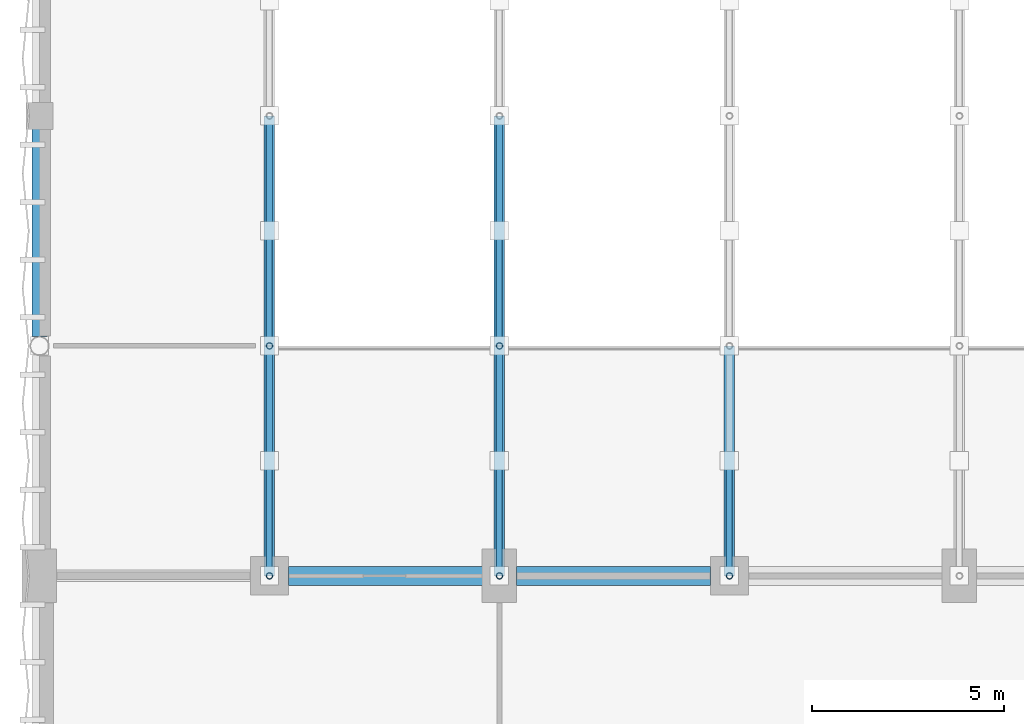
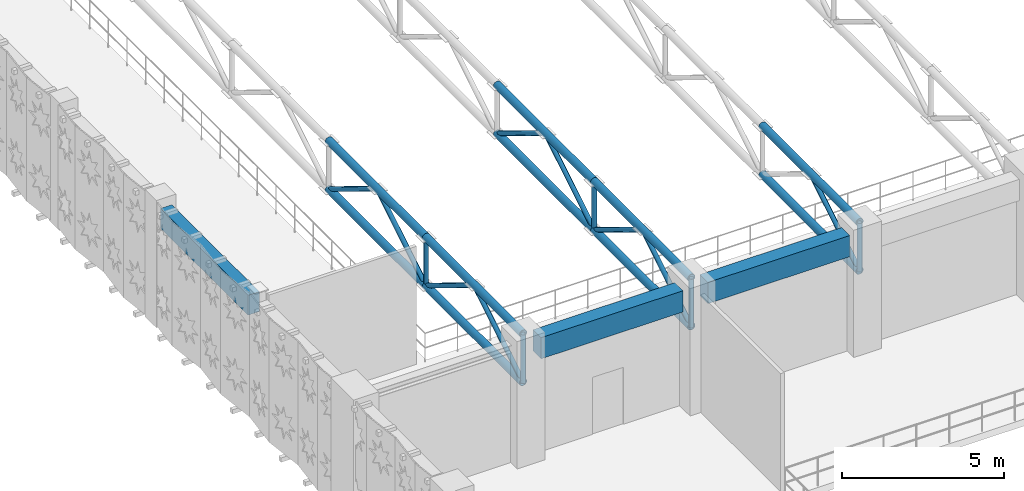
# One storey, part 36 of 123: 24 members, 3 beams.
"""IFC4 building model written with IfcOpenShell, lengths in metres."""

from ifc_helpers import new_model, si_unit, direction, frame, origin, origin_2d, place, context, subcontext, project, spatial, rectangle, hollow_circle, extrude, material, material_profile, profile_set, type_object, element, save


model = new_model("IFC4")

# Units and contexts
model_context = context("Model", 3, precision=1e-05, world=origin(), true_north=direction((0.0, 1.0)))
body_context = subcontext(model_context, "Body", "Model", "MODEL_VIEW")
ifc_project = project(units=[si_unit("LENGTHUNIT", "METRE"), si_unit("AREAUNIT", "SQUARE_METRE"), si_unit("VOLUMEUNIT", "CUBIC_METRE"), si_unit("PLANEANGLEUNIT", "RADIAN"), si_unit("MASSUNIT", "GRAM", prefix="KILO"), si_unit("THERMODYNAMICTEMPERATUREUNIT", "KELVIN"), si_unit("POWERUNIT", "WATT")], contexts=[model_context])

# Site, building, storey
site_placement = place(None, origin())
site = spatial("IfcSite", under=ifc_project, at=site_placement, CompositionType="ELEMENT")
building_placement = place(site_placement, origin())
building = spatial("IfcBuilding", under=site, at=building_placement, Name="Phaisarnlok Congress Hotel", CompositionType="ELEMENT")
storey_placement = place(building_placement, frame((0.0, 0.0, 15.0)))
storey = spatial("IfcBuildingStorey", under=building, at=storey_placement, Name="L03", CompositionType="ELEMENT", Elevation=15.0)

# Beams
ifc_material_1 = material(Name="Concrete C40/50", Category="concrete")
ifc_material_profile_1 = material_profile(ifc_material_1, rectangle(XDim=0.5, YDim=0.800048828125, at=origin_2d()), Name="RC 500x800")
ifc_profile_set_1 = profile_set([ifc_material_profile_1], Name="Concrete C40/50")
beam_type_1 = type_object("IfcBeamType", Name="BM-RC-500x800", PredefinedType="BEAM", material=ifc_profile_set_1)
for number, where, z_axis, x_axis, name in (
    (1, (6.4951171875, 84.0, 4.050048828125), (1.0, 0.0, 0.0), (0.0, 1.0, 0.0), "Beam B-04"),
    (2, (12.445068359375, 84.0, 4.050048828125), (1.0, 0.0, 0.0), (0.0, 1.0, 0.0), "Beam B-04"),
):
    element("IfcBeam", number, at=place(storey_placement, frame(where, z_axis=z_axis, x_axis=x_axis)), inside=storey, type_object=beam_type_1, Name=name, PredefinedType="BEAM", context=body_context, shape_type="SweptSolid", body=[
        extrude(rectangle(XDim=0.5, YDim=0.800048828125, at=origin_2d()), origin(), (0.0, 0.0, 1.0), 5.059814453125),
    ])

# Members
ifc_material_2 = material(Name="Steel S355", Category="steel")
ifc_material_profile_2 = material_profile(ifc_material_2, hollow_circle(Radius=0.084228515625, WallThickness=0.010009765625, at=origin_2d()), Name="CHS 168.3x10")
ifc_profile_set_2 = profile_set([ifc_material_profile_2], Name="Steel S355")
member_type_1 = type_object("IfcMemberType", Name="MEM-BRC-CHS168", PredefinedType="BRACE", material=ifc_profile_set_2)
member_1_placement = place(storey_placement, frame((6.0, 84.0, 2.800048828125), z_axis=(0.0, 0.0, 1.0), x_axis=(1.0, 0.0, 0.0)))
element("IfcMember", 3, at=member_1_placement, inside=storey, type_object=member_type_1, Name="Spa pavilion truss vertical TB-01", PredefinedType="BRACE", context=body_context, shape_type="SweptSolid", body=[
    extrude(hollow_circle(Radius=0.084228515625, WallThickness=0.010009765625, at=origin_2d()), origin(), (0.0, 0.0, 1.0), 1.829833984375),
])
for number, where, z_axis, x_axis, name in (
    (4, (6.0, 84.0, 2.800048828125), (0.0, 0.853724612577, 0.520724769797), (-1.0, 0.0, 0.0), "Spa pavilion truss diagonal TB-01"),
    (5, (6.0, 90.0, 2.800048828125), (0.0, -0.853724612577, 0.520724769797), (1.0, 0.0, 0.0), "Spa pavilion truss diagonal TB-01"),
):
    element("IfcMember", number, at=place(storey_placement, frame(where, z_axis=z_axis, x_axis=x_axis)), inside=storey, type_object=member_type_1, Name=name, PredefinedType="BRACE", context=body_context, shape_type="SweptSolid", body=[
        extrude(hollow_circle(Radius=0.084228515625, WallThickness=0.010009765625, at=origin_2d()), origin(), (0.0, 0.0, 1.0), 3.513916015625),
    ])
member_2_placement = place(storey_placement, frame((6.0, 90.0, 2.800048828125), z_axis=(0.0, 0.0, 1.0), x_axis=(1.0, 0.0, 0.0)))
element("IfcMember", 6, at=member_2_placement, inside=storey, type_object=member_type_1, Name="Spa pavilion truss vertical TB-01", PredefinedType="BRACE", context=body_context, shape_type="SweptSolid", body=[
    extrude(hollow_circle(Radius=0.084228515625, WallThickness=0.010009765625, at=origin_2d()), origin(), (0.0, 0.0, 1.0), 1.829833984375),
])
for number, where, z_axis, x_axis, name in (
    (7, (6.0, 90.0, 2.800048828125), (0.0, 0.853724612577, 0.520724769797), (-1.0, 0.0, 0.0), "Spa pavilion truss diagonal TB-01"),
    (8, (6.0, 96.0, 2.800048828125), (0.0, -0.853724612577, 0.520724769797), (1.0, 0.0, 0.0), "Spa pavilion truss diagonal TB-01"),
):
    element("IfcMember", number, at=place(storey_placement, frame(where, z_axis=z_axis, x_axis=x_axis)), inside=storey, type_object=member_type_1, Name=name, PredefinedType="BRACE", context=body_context, shape_type="SweptSolid", body=[
        extrude(hollow_circle(Radius=0.084228515625, WallThickness=0.010009765625, at=origin_2d()), origin(), (0.0, 0.0, 1.0), 3.513916015625),
    ])
member_3_placement = place(storey_placement, frame((12.0, 84.0, 2.800048828125), z_axis=(0.0, 0.0, 1.0), x_axis=(1.0, 0.0, 0.0)))
element("IfcMember", 9, at=member_3_placement, inside=storey, type_object=member_type_1, Name="Spa pavilion truss vertical TB-01", PredefinedType="BRACE", context=body_context, shape_type="SweptSolid", body=[
    extrude(hollow_circle(Radius=0.084228515625, WallThickness=0.010009765625, at=origin_2d()), origin(), (0.0, 0.0, 1.0), 1.829833984375),
])
for number, where, z_axis, x_axis, name in (
    (10, (12.0, 84.0, 2.800048828125), (0.0, 0.853724612577, 0.520724769797), (-1.0, 0.0, 0.0), "Spa pavilion truss diagonal TB-01"),
    (11, (12.0, 90.0, 2.800048828125), (0.0, -0.853724612577, 0.520724769797), (1.0, 0.0, 0.0), "Spa pavilion truss diagonal TB-01"),
):
    element("IfcMember", number, at=place(storey_placement, frame(where, z_axis=z_axis, x_axis=x_axis)), inside=storey, type_object=member_type_1, Name=name, PredefinedType="BRACE", context=body_context, shape_type="SweptSolid", body=[
        extrude(hollow_circle(Radius=0.084228515625, WallThickness=0.010009765625, at=origin_2d()), origin(), (0.0, 0.0, 1.0), 3.513916015625),
    ])
member_4_placement = place(storey_placement, frame((12.0, 90.0, 2.800048828125), z_axis=(0.0, 0.0, 1.0), x_axis=(1.0, 0.0, 0.0)))
element("IfcMember", 12, at=member_4_placement, inside=storey, type_object=member_type_1, Name="Spa pavilion truss vertical TB-01", PredefinedType="BRACE", context=body_context, shape_type="SweptSolid", body=[
    extrude(hollow_circle(Radius=0.084228515625, WallThickness=0.010009765625, at=origin_2d()), origin(), (0.0, 0.0, 1.0), 1.829833984375),
])
for number, where, z_axis, x_axis, name in (
    (13, (12.0, 90.0, 2.800048828125), (0.0, 0.853724612577, 0.520724769797), (-1.0, 0.0, 0.0), "Spa pavilion truss diagonal TB-01"),
    (14, (12.0, 96.0, 2.800048828125), (0.0, -0.853724612577, 0.520724769797), (1.0, 0.0, 0.0), "Spa pavilion truss diagonal TB-01"),
):
    element("IfcMember", number, at=place(storey_placement, frame(where, z_axis=z_axis, x_axis=x_axis)), inside=storey, type_object=member_type_1, Name=name, PredefinedType="BRACE", context=body_context, shape_type="SweptSolid", body=[
        extrude(hollow_circle(Radius=0.084228515625, WallThickness=0.010009765625, at=origin_2d()), origin(), (0.0, 0.0, 1.0), 3.513916015625),
    ])
member_5_placement = place(storey_placement, frame((18.0, 84.0, 2.800048828125), z_axis=(0.0, 0.0, 1.0), x_axis=(1.0, 0.0, 0.0)))
element("IfcMember", 15, at=member_5_placement, inside=storey, type_object=member_type_1, Name="Spa pavilion truss vertical TB-01", PredefinedType="BRACE", context=body_context, shape_type="SweptSolid", body=[
    extrude(hollow_circle(Radius=0.084228515625, WallThickness=0.010009765625, at=origin_2d()), origin(), (0.0, 0.0, 1.0), 1.829833984375),
])
member_6_placement = place(storey_placement, frame((18.0, 84.0, 2.800048828125), z_axis=(0.0, 0.853724612577, 0.520724769797), x_axis=(-1.0, 0.0, 0.0)))
element("IfcMember", 16, at=member_6_placement, inside=storey, type_object=member_type_1, Name="Spa pavilion truss diagonal TB-01", PredefinedType="BRACE", context=body_context, shape_type="SweptSolid", body=[
    extrude(hollow_circle(Radius=0.084228515625, WallThickness=0.010009765625, at=origin_2d()), origin(), (0.0, 0.0, 1.0), 3.513916015625),
])
ifc_material_profile_3 = material_profile(ifc_material_2, hollow_circle(Radius=0.136474609375, WallThickness=0.01611328125, at=origin_2d()), Name="CHS 273x16")
ifc_profile_set_3 = profile_set([ifc_material_profile_3], Name="Steel S355")
member_type_2 = type_object("IfcMemberType", Name="MEM-CHD-CHS273", PredefinedType="CHORD", material=ifc_profile_set_3)
for number, where, z_axis, x_axis, name in (
    (17, (6.0, 84.0, 4.6298828125), (0.0, 1.0, 0.0), (-1.0, 0.0, 0.0), "Spa pavilion truss top chord TC-03"),
    (18, (6.0, 84.0, 2.800048828125), (0.0, 1.0, 0.0), (-1.0, 0.0, 0.0), "Spa pavilion truss bottom chord TC-03"),
    (19, (6.0, 90.0, 4.6298828125), (0.0, 1.0, 0.0), (-1.0, 0.0, 0.0), "Spa pavilion truss top chord TC-03"),
    (20, (6.0, 90.0, 2.800048828125), (0.0, 1.0, 0.0), (-1.0, 0.0, 0.0), "Spa pavilion truss bottom chord TC-03"),
    (21, (12.0, 84.0, 4.6298828125), (0.0, 1.0, 0.0), (-1.0, 0.0, 0.0), "Spa pavilion truss top chord TC-03"),
    (22, (12.0, 84.0, 2.800048828125), (0.0, 1.0, 0.0), (-1.0, 0.0, 0.0), "Spa pavilion truss bottom chord TC-03"),
    (23, (12.0, 90.0, 4.6298828125), (0.0, 1.0, 0.0), (-1.0, 0.0, 0.0), "Spa pavilion truss top chord TC-03"),
    (24, (12.0, 90.0, 2.800048828125), (0.0, 1.0, 0.0), (-1.0, 0.0, 0.0), "Spa pavilion truss bottom chord TC-03"),
    (25, (18.0, 84.0, 4.6298828125), (0.0, 1.0, 0.0), (-1.0, 0.0, 0.0), "Spa pavilion truss top chord TC-03"),
    (26, (18.0, 84.0, 2.800048828125), (0.0, 1.0, 0.0), (-1.0, 0.0, 0.0), "Spa pavilion truss bottom chord TC-03"),
):
    element("IfcMember", number, at=place(storey_placement, frame(where, z_axis=z_axis, x_axis=x_axis)), inside=storey, type_object=member_type_2, Name=name, PredefinedType="CHORD", context=body_context, shape_type="SweptSolid", body=[
        extrude(hollow_circle(Radius=0.136474609375, WallThickness=0.01611328125, at=origin_2d()), origin(), (0.0, 0.0, 1.0), 6.0),
    ])

# Beam
ifc_material_profile_4 = material_profile(ifc_material_1, rectangle(XDim=0.39990234375, YDim=0.75, at=origin_2d()), Name="RC 400x750")
ifc_profile_set_4 = profile_set([ifc_material_profile_4], Name="Concrete C40/50")
beam_type_2 = type_object("IfcBeamType", Name="SP-RC-400x750", PredefinedType="SPANDREL", material=ifc_profile_set_4)
beam_placement = place(storey_placement, frame((0.0, 90.2490234375, 4.074951171875), z_axis=(0.0, 1.0, 0.0), x_axis=(-1.0, 0.0, 0.0)))
element("IfcBeam", 27, at=beam_placement, inside=storey, type_object=beam_type_2, Name="Beam SP-02", PredefinedType="SPANDREL", context=body_context, shape_type="SweptSolid", body=[
    extrude(rectangle(XDim=0.39990234375, YDim=0.75, at=origin_2d()), origin(), (0.0, 0.0, 1.0), 5.406005859375),
])

save(model, "model.ifc")
